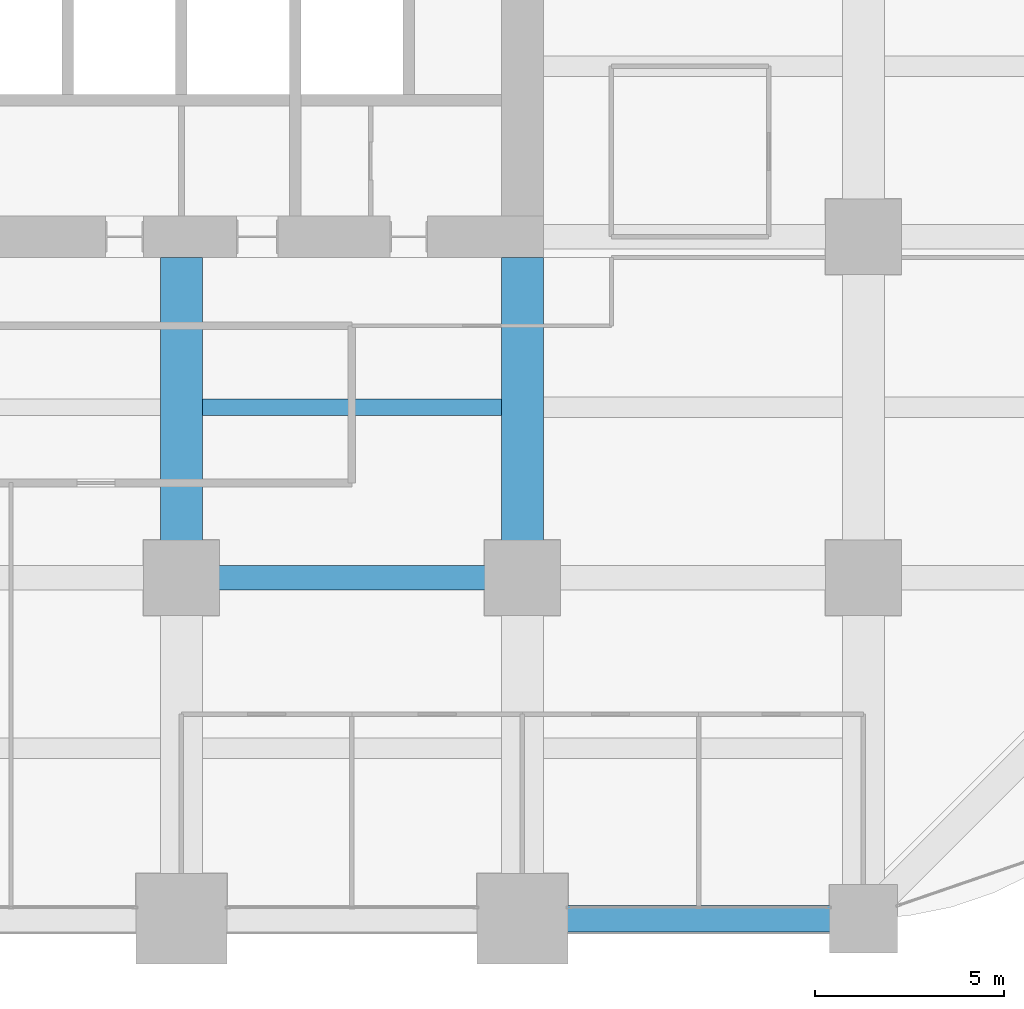
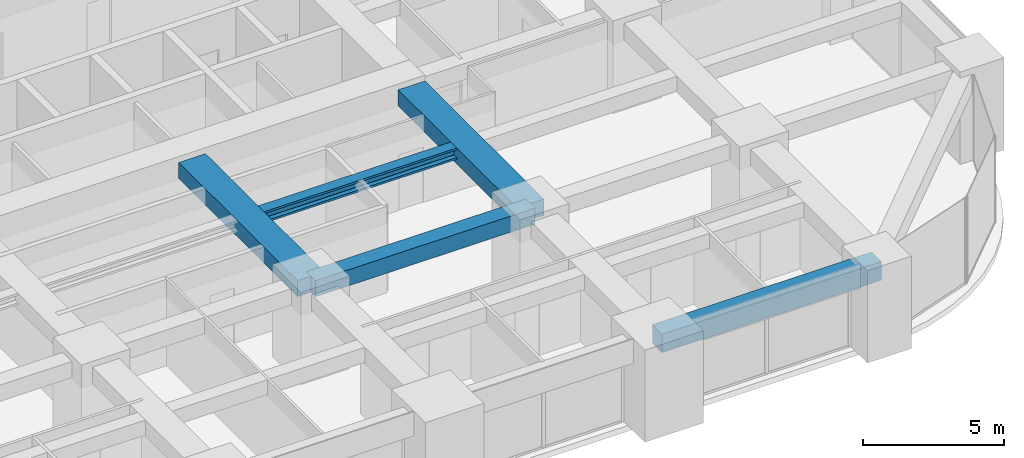
# One storey, part 15 of 41: 5 beams.
"""IFC4 building model written with IfcOpenShell, lengths in metres."""

import ifcopenshell
import ifcopenshell.guid

model = None  # the IFC model being written
_history = None  # IfcOwnerHistory: only IFC2X3 demands one
_inside = {}  # id of a spatial element -> (the spatial element, [elements in it])
_under = {}  # id of a project, library or spatial element -> (it, [spatial elements below it])
_declared = {}  # id of a project -> (the project, [libraries it declares])
_typed = {}  # id of a type object -> (the type object, [elements of that type])
_made_of = {}  # id of a material, layer set ... -> (it, [elements and type objects made of it])


def new_model(schema):
    """Start an empty IFC model of exactly this schema.

    Asked for "IFC4X3", IfcOpenShell would pick the latest addendum, in which some entities
    have other attributes; the version numbers below select the first issue.
    IFC2X3 requires an IfcOwnerHistory on every rooted entity: one is made here for all.
    """
    global model, _history
    if schema == "IFC4X3":
        model = ifcopenshell.file(schema_version=(4, 3, 0, 0))
    else:
        model = ifcopenshell.file(schema=schema)
    _inside.clear()
    _under.clear()
    _declared.clear()
    _typed.clear()
    _made_of.clear()
    _history = None
    if model.schema == "IFC2X3":
        org = make("IfcOrganization", Name="unknown")
        user = make(
            "IfcPersonAndOrganization",
            ThePerson=make("IfcPerson", FamilyName="unknown"),
            TheOrganization=org,
        )
        app = make(
            "IfcApplication",
            ApplicationDeveloper=org,
            Version="unknown",
            ApplicationFullName="unknown",
            ApplicationIdentifier="unknown",
        )
        _history = make(
            "IfcOwnerHistory",
            OwningUser=user,
            OwningApplication=app,
            ChangeAction="ADDED",
            CreationDate=0,
        )
    return model


def make(cls, **values):
    """One entity of the class cls with the attributes given. An attribute that is None is left unset."""
    return model.create_entity(
        cls, **{name: value for name, value in values.items() if value is not None}
    )


def rooted(cls, **values):
    """An entity with a GlobalId (a new one), such as an element, a storey or a relation."""
    return make(cls, GlobalId=ifcopenshell.guid.new(), OwnerHistory=_history, **values)


def si_unit(unit_type, name, prefix=None):
    """IfcSIUnit, for example si_unit("LENGTHUNIT", "METRE", prefix="MILLI")."""
    return make("IfcSIUnit", UnitType=unit_type, Prefix=prefix, Name=name)


def assignment(units):
    """IfcUnitAssignment: the units of a project."""
    return None if units is None else make("IfcUnitAssignment", Units=units)


def point(xyz):
    """IfcCartesianPoint."""
    return None if xyz is None else make("IfcCartesianPoint", Coordinates=xyz)


def direction(xyz):
    """IfcDirection."""
    return None if xyz is None else make("IfcDirection", DirectionRatios=xyz)


def frame(location, z_axis=None, x_axis=None):
    """IfcAxis2Placement3D, a coordinate frame: its origin and axes. An axis left out is left unset."""
    return make(
        "IfcAxis2Placement3D",
        Location=point(location),
        Axis=direction(z_axis),
        RefDirection=direction(x_axis),
    )


def frame_2d(location, x_axis=None):
    """IfcAxis2Placement2D, a coordinate frame in the plane: its origin and x axis."""
    return make(
        "IfcAxis2Placement2D", Location=point(location), RefDirection=direction(x_axis)
    )


def origin():
    """The frame at (0, 0, 0) with its axes left unset."""
    return frame((0.0, 0.0, 0.0))


def origin_2d():
    """The frame at (0, 0) in the plane with its x axis left unset."""
    return frame_2d((0.0, 0.0))


def place(relative_to, where):
    """IfcLocalPlacement: puts the frame where relative to a parent placement (None: the world)."""
    return make(
        "IfcLocalPlacement", PlacementRelTo=relative_to, RelativePlacement=where
    )


def context(
    kind, dimensions, precision=None, world=None, true_north=None, identifier=None
):
    """IfcGeometricRepresentationContext, for example the 3D "Model" context."""
    return make(
        "IfcGeometricRepresentationContext",
        ContextIdentifier=identifier,
        ContextType=kind,
        CoordinateSpaceDimension=dimensions,
        Precision=precision,
        WorldCoordinateSystem=world,
        TrueNorth=true_north,
    )


def subcontext(parent, identifier, kind, view, scale=None):
    """IfcGeometricRepresentationSubContext, for example "Body" below "Model"."""
    return make(
        "IfcGeometricRepresentationSubContext",
        ContextIdentifier=identifier,
        ContextType=kind,
        ParentContext=parent,
        TargetScale=scale,
        TargetView=view,
    )


def project(units=None, contexts=None):
    """IfcProject with its units and contexts."""
    return rooted(
        "IfcProject",
        Name="project",
        RepresentationContexts=contexts,
        UnitsInContext=assignment(units),
    )


def spatial(cls, under=None, at=None, **own):
    """A site, building, storey or space (cls), placed at a placement, below another one or the project."""
    s = rooted(cls, ObjectPlacement=at, **own)
    if under is not None:
        _under.setdefault(under.id(), (under, []))[1].append(s)
    return s


def profile(cls, at=None, kind="AREA", **sizes):
    """A parametric profile (cls). Its sizes go by their IFC names, for example OverallWidth=200.0."""
    return make(cls, ProfileType=kind, Position=at, **sizes)


def rectangle(**sizes):
    """IfcRectangleProfileDef."""
    return profile("IfcRectangleProfileDef", **sizes)


def i_section(**sizes):
    """IfcIShapeProfileDef."""
    return profile("IfcIShapeProfileDef", **sizes)


def extrude(swept, where, along, depth):
    """IfcExtrudedAreaSolid: the profile swept, set in the frame where, extruded along a direction by depth."""
    return make(
        "IfcExtrudedAreaSolid",
        SweptArea=swept,
        Position=where,
        ExtrudedDirection=direction(along),
        Depth=depth,
    )


def shape(context_of_items, identifier, shape_type, items):
    """IfcShapeRepresentation: the items that make up one representation, for example the "Body"."""
    return make(
        "IfcShapeRepresentation",
        ContextOfItems=context_of_items,
        RepresentationIdentifier=identifier,
        RepresentationType=shape_type,
        Items=items,
    )


def material(Name=None, Category=None):
    """IfcMaterial."""
    return make("IfcMaterial", Name=Name, Category=Category)


def material_profile(
    of_material, cross_section, Name=None, Category=None, Priority=None
):
    """IfcMaterialProfile: a cross section and its material."""
    return make(
        "IfcMaterialProfile",
        Name=Name,
        Material=of_material,
        Profile=cross_section,
        Priority=Priority,
        Category=Category,
    )


def profile_set(profiles, Name=None, composite=None):
    """IfcMaterialProfileSet."""
    return make(
        "IfcMaterialProfileSet",
        Name=Name,
        MaterialProfiles=profiles,
        CompositeProfile=composite,
    )


def made_of(thing, what):
    """Note that an element or type object is made of a material, layer set ...; save() writes the relation."""
    if what is not None:
        _made_of.setdefault(what.id(), (what, []))[1].append(thing)
    return thing


def type_object(cls, material=None, **own):
    """A type object (cls), such as IfcWallType, which elements share."""
    return made_of(rooted(cls, **own), material)


def element(
    cls,
    number,
    at=None,
    inside=None,
    cuts=None,
    type_object=None,
    material=None,
    context=None,
    identifier="Body",
    shape_type=None,
    held_by="IfcProductDefinitionShape",
    body=None,
    shapes=None,
    **own,
):
    """One element of the class cls, such as IfcWall. Its Tag is "e" and its number.

    at: its placement. inside: the storey or other place that contains it. cuts: it is an
    opening in that element (IfcRelVoidsElement). A single representation is given by context,
    identifier, shape_type and body (its items); several are given by shapes. held_by: the class
    of the entity that holds the representations. save() writes the other relations.
    """
    e = rooted(cls, Tag="e%d" % number, ObjectPlacement=at, **own)
    if body is not None:
        shapes = [shape(context, identifier, shape_type, body)]
    if shapes is not None:
        e.Representation = make(held_by, Representations=shapes)
    if inside is not None:
        _inside.setdefault(inside.id(), (inside, []))[1].append(e)
    if cuts is not None:
        rooted(
            "IfcRelVoidsElement", RelatingBuildingElement=cuts, RelatedOpeningElement=e
        )
    if type_object is not None:
        _typed.setdefault(type_object.id(), (type_object, []))[1].append(e)
    return made_of(e, material)


def aggregate(whole, parts):
    """IfcRelAggregates: a whole, such as a stair, and the parts it consists of."""
    return rooted("IfcRelAggregates", RelatingObject=whole, RelatedObjects=parts)


def save(model, path):
    """Write the relations noted so far, then the file.

    IfcRelAggregates (storeys below a building ...), IfcRelContainedInSpatialStructure (elements
    in a storey), IfcRelDefinesByType, IfcRelAssociatesMaterial and IfcRelDeclares: one each for
    every whole, place, type object, material and project.
    """
    for whole, parts in _under.values():
        aggregate(whole, parts)
    for where, things in _inside.values():
        rooted(
            "IfcRelContainedInSpatialStructure",
            RelatedElements=things,
            RelatingStructure=where,
        )
    for kind, things in _typed.values():
        rooted("IfcRelDefinesByType", RelatedObjects=things, RelatingType=kind)
    for what, things in _made_of.values():
        rooted("IfcRelAssociatesMaterial", RelatedObjects=things, RelatingMaterial=what)
    for by, libraries in _declared.values():
        rooted("IfcRelDeclares", RelatingContext=by, RelatedDefinitions=libraries)
    model.write(path)


model = new_model("IFC4")

# Units and contexts
model_context = context("Model", 3, precision=1e-05, world=origin(), true_north=direction((0.0, 1.0)))
body_context = subcontext(model_context, "Body", "Model", "MODEL_VIEW")
ifc_project = project(units=[si_unit("LENGTHUNIT", "METRE"), si_unit("AREAUNIT", "SQUARE_METRE"), si_unit("VOLUMEUNIT", "CUBIC_METRE"), si_unit("PLANEANGLEUNIT", "RADIAN"), si_unit("MASSUNIT", "GRAM", prefix="KILO")], contexts=[model_context])

# Site, building, storey
site_placement = place(None, origin())
site = spatial("IfcSite", under=ifc_project, at=site_placement, CompositionType="ELEMENT")
building_placement = place(site_placement, origin())
building = spatial("IfcBuilding", under=site, at=building_placement, Name="Zorevar Civic Tower", CompositionType="ELEMENT")
storey_placement = place(building_placement, frame((0.0, 0.0, 97.0)))
storey = spatial("IfcBuildingStorey", under=building, at=storey_placement, Name="L23", CompositionType="ELEMENT", Elevation=97.0)

# Beams
ifc_material_1 = material(Name="Concrete C50/60", Category="concrete")
ifc_material_profile_1 = material_profile(ifc_material_1, rectangle(XDim=1.10009765625, YDim=0.699951171875, at=origin_2d()), Name="RC 1100x700")
ifc_profile_set_1 = profile_set([ifc_material_profile_1], Name="Concrete C50/60")
beam_type_1 = type_object("IfcBeamType", Name="Beam RC 1100x700", PredefinedType="BEAM", material=ifc_profile_set_1)
for number, where, z_axis, x_axis, name in (
    (1, (36.0, 9.0, 3.39990234375), (0.0, 1.0, 0.0), (-1.0, 0.0, 0.0), "Girder L24"),
    (2, (45.0, 9.0, 3.39990234375), (0.0, 1.0, 0.0), (-1.0, 0.0, 0.0), "Girder L24"),
):
    element("IfcBeam", number, at=place(storey_placement, frame(where, z_axis=z_axis, x_axis=x_axis)), inside=storey, type_object=beam_type_1, Name=name, PredefinedType="BEAM", context=body_context, shape_type="SweptSolid", body=[
        extrude(rectangle(XDim=1.10009765625, YDim=0.699951171875, at=origin_2d()), origin(), (0.0, 0.0, 1.0), 8.449951171875),
    ])
ifc_material_2 = material(Name="Concrete C50/60", Category="concrete")
ifc_material_profile_2 = material_profile(ifc_material_2, rectangle(XDim=0.64990234375, YDim=0.699951171875, at=origin_2d()), Name="RC 650x700")
ifc_profile_set_2 = profile_set([ifc_material_profile_2], Name="Concrete C50/60")
beam_type_2 = type_object("IfcBeamType", Name="Beam RC 650x700", PredefinedType="BEAM", material=ifc_profile_set_2)
beam_1_placement = place(storey_placement, frame((36.0, 9.0, 3.39990234375), z_axis=(1.0, 0.0, 0.0), x_axis=(0.0, 1.0, 0.0)))
element("IfcBeam", 3, at=beam_1_placement, inside=storey, type_object=beam_type_2, Name="Girder L24", PredefinedType="BEAM", context=body_context, shape_type="SweptSolid", body=[
    extrude(rectangle(XDim=0.64990234375, YDim=0.699951171875, at=origin_2d()), origin(), (0.0, 0.0, 1.0), 9.0),
])
ifc_material_3 = material(Name="Steel S460M (HISTAR 460)", Category="steel")
ifc_material_profile_3 = material_profile(ifc_material_3, i_section(OverallWidth=0.431884765625, OverallDepth=0.498046875, WebThickness=0.0556640625, FlangeThickness=0.0888671875, FilletRadius=0.014892578125, at=origin_2d()), Name="HD 400x744")
ifc_profile_set_3 = profile_set([ifc_material_profile_3], Name="Steel S460M (HISTAR 460)")
beam_type_3 = type_object("IfcBeamType", Name="Core bay beam HD 400x744", PredefinedType="BEAM", material=ifc_profile_set_3)
beam_2_placement = place(storey_placement, frame((36.550048828125, 13.5, 3.5009765625), z_axis=(1.0, 0.0, 0.0), x_axis=(0.0, 1.0, 0.0)))
element("IfcBeam", 4, at=beam_2_placement, inside=storey, type_object=beam_type_3, Name="Secondary beam L24", PredefinedType="BEAM", context=body_context, shape_type="SweptSolid", body=[
    extrude(i_section(OverallWidth=0.431884765625, OverallDepth=0.498046875, WebThickness=0.0556640625, FlangeThickness=0.0888671875, FilletRadius=0.014892578125, at=origin_2d()), origin(), (0.0, 0.0, 1.0), 7.89990234375),
])
ifc_material_4 = material(Name="Concrete C50/60", Category="concrete")
ifc_material_profile_4 = material_profile(ifc_material_4, rectangle(XDim=0.699951171875, YDim=0.800048828125, at=origin_2d()), Name="RC 700x800")
ifc_profile_set_4 = profile_set([ifc_material_profile_4], Name="Concrete C50/60")
beam_type_4 = type_object("IfcBeamType", Name="Edge beam RC 700x800", PredefinedType="SPANDREL", material=ifc_profile_set_4)
beam_3_placement = place(storey_placement, frame((45.0, 0.0, 3.35009765625), z_axis=(1.0, 0.0, 0.0), x_axis=(0.0, 1.0, 0.0)))
element("IfcBeam", 5, at=beam_3_placement, inside=storey, type_object=beam_type_4, Name="Edge beam L24", PredefinedType="SPANDREL", context=body_context, shape_type="SweptSolid", body=[
    extrude(rectangle(XDim=0.699951171875, YDim=0.800048828125, at=origin_2d()), origin(), (0.0, 0.0, 1.0), 9.0),
])

save(model, "model.ifc")
